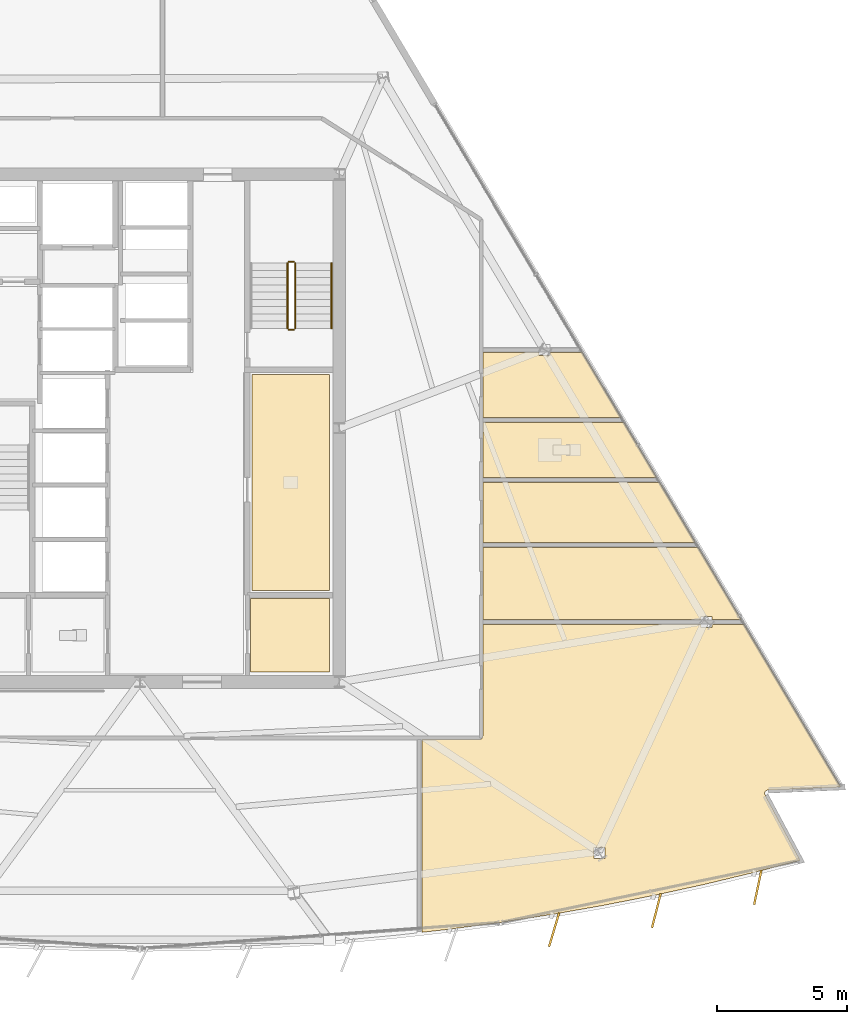
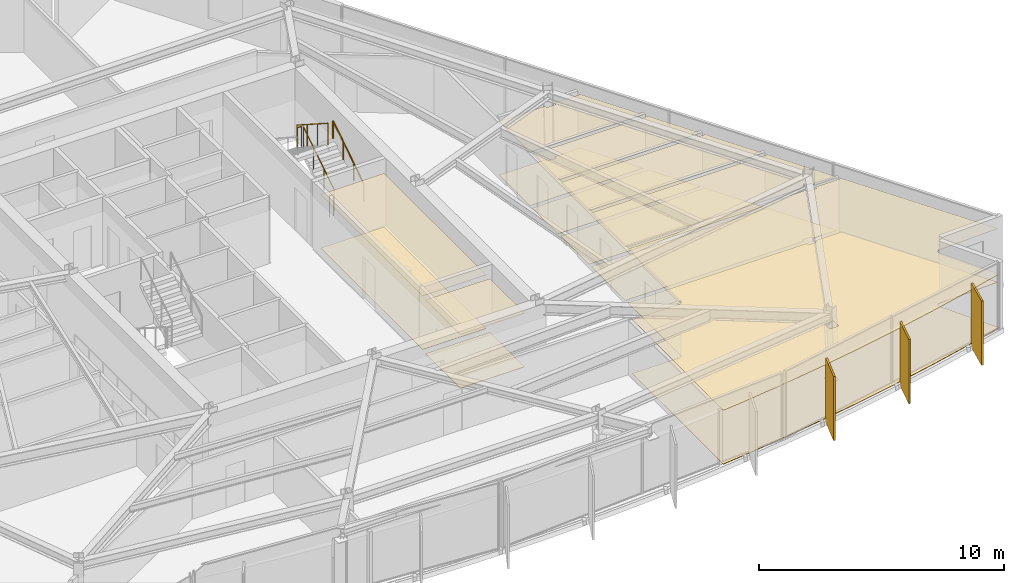
# One storey, part 14 of 16: 14 coverings, 5 railings, 3 shading devices.
"""IFC4 building model written with IfcOpenShell, lengths in metres."""

import ifcopenshell
import ifcopenshell.guid

model = None  # the IFC model being written
_history = None  # IfcOwnerHistory: only IFC2X3 demands one
_inside = {}  # id of a spatial element -> (the spatial element, [elements in it])
_under = {}  # id of a project, library or spatial element -> (it, [spatial elements below it])
_declared = {}  # id of a project -> (the project, [libraries it declares])
_typed = {}  # id of a type object -> (the type object, [elements of that type])
_made_of = {}  # id of a material, layer set ... -> (it, [elements and type objects made of it])


def new_model(schema):
    """Start an empty IFC model of exactly this schema.

    Asked for "IFC4X3", IfcOpenShell would pick the latest addendum, in which some entities
    have other attributes; the version numbers below select the first issue.
    IFC2X3 requires an IfcOwnerHistory on every rooted entity: one is made here for all.
    """
    global model, _history
    if schema == "IFC4X3":
        model = ifcopenshell.file(schema_version=(4, 3, 0, 0))
    else:
        model = ifcopenshell.file(schema=schema)
    _inside.clear()
    _under.clear()
    _declared.clear()
    _typed.clear()
    _made_of.clear()
    _history = None
    if model.schema == "IFC2X3":
        org = make("IfcOrganization", Name="unknown")
        user = make(
            "IfcPersonAndOrganization",
            ThePerson=make("IfcPerson", FamilyName="unknown"),
            TheOrganization=org,
        )
        app = make(
            "IfcApplication",
            ApplicationDeveloper=org,
            Version="unknown",
            ApplicationFullName="unknown",
            ApplicationIdentifier="unknown",
        )
        _history = make(
            "IfcOwnerHistory",
            OwningUser=user,
            OwningApplication=app,
            ChangeAction="ADDED",
            CreationDate=0,
        )
    return model


def make(cls, **values):
    """One entity of the class cls with the attributes given. An attribute that is None is left unset."""
    return model.create_entity(
        cls, **{name: value for name, value in values.items() if value is not None}
    )


def rooted(cls, **values):
    """An entity with a GlobalId (a new one), such as an element, a storey or a relation."""
    return make(cls, GlobalId=ifcopenshell.guid.new(), OwnerHistory=_history, **values)


def si_unit(unit_type, name, prefix=None):
    """IfcSIUnit, for example si_unit("LENGTHUNIT", "METRE", prefix="MILLI")."""
    return make("IfcSIUnit", UnitType=unit_type, Prefix=prefix, Name=name)


def assignment(units):
    """IfcUnitAssignment: the units of a project."""
    return None if units is None else make("IfcUnitAssignment", Units=units)


def point(xyz):
    """IfcCartesianPoint."""
    return None if xyz is None else make("IfcCartesianPoint", Coordinates=xyz)


def direction(xyz):
    """IfcDirection."""
    return None if xyz is None else make("IfcDirection", DirectionRatios=xyz)


def frame(location, z_axis=None, x_axis=None):
    """IfcAxis2Placement3D, a coordinate frame: its origin and axes. An axis left out is left unset."""
    return make(
        "IfcAxis2Placement3D",
        Location=point(location),
        Axis=direction(z_axis),
        RefDirection=direction(x_axis),
    )


def frame_2d(location, x_axis=None):
    """IfcAxis2Placement2D, a coordinate frame in the plane: its origin and x axis."""
    return make(
        "IfcAxis2Placement2D", Location=point(location), RefDirection=direction(x_axis)
    )


def origin():
    """The frame at (0, 0, 0) with its axes left unset."""
    return frame((0.0, 0.0, 0.0))


def origin_2d():
    """The frame at (0, 0) in the plane with its x axis left unset."""
    return frame_2d((0.0, 0.0))


def place(relative_to, where):
    """IfcLocalPlacement: puts the frame where relative to a parent placement (None: the world)."""
    return make(
        "IfcLocalPlacement", PlacementRelTo=relative_to, RelativePlacement=where
    )


def context(
    kind, dimensions, precision=None, world=None, true_north=None, identifier=None
):
    """IfcGeometricRepresentationContext, for example the 3D "Model" context."""
    return make(
        "IfcGeometricRepresentationContext",
        ContextIdentifier=identifier,
        ContextType=kind,
        CoordinateSpaceDimension=dimensions,
        Precision=precision,
        WorldCoordinateSystem=world,
        TrueNorth=true_north,
    )


def subcontext(parent, identifier, kind, view, scale=None):
    """IfcGeometricRepresentationSubContext, for example "Body" below "Model"."""
    return make(
        "IfcGeometricRepresentationSubContext",
        ContextIdentifier=identifier,
        ContextType=kind,
        ParentContext=parent,
        TargetScale=scale,
        TargetView=view,
    )


def project(units=None, contexts=None):
    """IfcProject with its units and contexts."""
    return rooted(
        "IfcProject",
        Name="project",
        RepresentationContexts=contexts,
        UnitsInContext=assignment(units),
    )


def spatial(cls, under=None, at=None, **own):
    """A site, building, storey or space (cls), placed at a placement, below another one or the project."""
    s = rooted(cls, ObjectPlacement=at, **own)
    if under is not None:
        _under.setdefault(under.id(), (under, []))[1].append(s)
    return s


def polyline(points):
    """IfcPolyline through the points."""
    return make("IfcPolyline", Points=[point(p) for p in points])


def profile(cls, at=None, kind="AREA", **sizes):
    """A parametric profile (cls). Its sizes go by their IFC names, for example OverallWidth=200.0."""
    return make(cls, ProfileType=kind, Position=at, **sizes)


def rectangle(**sizes):
    """IfcRectangleProfileDef."""
    return profile("IfcRectangleProfileDef", **sizes)


def circle(**sizes):
    """IfcCircleProfileDef."""
    return profile("IfcCircleProfileDef", **sizes)


def outline(outer, holes=None, kind="AREA"):
    """IfcArbitraryClosedProfileDef: a profile drawn as a closed curve; with holes, ...WithVoids."""
    if holes is None:
        return make("IfcArbitraryClosedProfileDef", ProfileType=kind, OuterCurve=outer)
    return make(
        "IfcArbitraryProfileDefWithVoids",
        ProfileType=kind,
        OuterCurve=outer,
        InnerCurves=holes,
    )


def extrude(swept, where, along, depth):
    """IfcExtrudedAreaSolid: the profile swept, set in the frame where, extruded along a direction by depth."""
    return make(
        "IfcExtrudedAreaSolid",
        SweptArea=swept,
        Position=where,
        ExtrudedDirection=direction(along),
        Depth=depth,
    )


def shape(context_of_items, identifier, shape_type, items):
    """IfcShapeRepresentation: the items that make up one representation, for example the "Body"."""
    return make(
        "IfcShapeRepresentation",
        ContextOfItems=context_of_items,
        RepresentationIdentifier=identifier,
        RepresentationType=shape_type,
        Items=items,
    )


def material(Name=None, Category=None):
    """IfcMaterial."""
    return make("IfcMaterial", Name=Name, Category=Category)


def layer(
    of_material, thickness, ventilated=None, Name=None, Category=None, Priority=None
):
    """IfcMaterialLayer: one layer of a wall or slab, of a material (None: an air gap)."""
    return make(
        "IfcMaterialLayer",
        Material=of_material,
        LayerThickness=thickness,
        IsVentilated=ventilated,
        Name=Name,
        Category=Category,
        Priority=Priority,
    )


def layer_set(layers, Name=None):
    """IfcMaterialLayerSet."""
    return make("IfcMaterialLayerSet", MaterialLayers=layers, LayerSetName=Name)


def made_of(thing, what):
    """Note that an element or type object is made of a material, layer set ...; save() writes the relation."""
    if what is not None:
        _made_of.setdefault(what.id(), (what, []))[1].append(thing)
    return thing


def type_object(cls, material=None, **own):
    """A type object (cls), such as IfcWallType, which elements share."""
    return made_of(rooted(cls, **own), material)


def element(
    cls,
    number,
    at=None,
    inside=None,
    cuts=None,
    type_object=None,
    material=None,
    context=None,
    identifier="Body",
    shape_type=None,
    held_by="IfcProductDefinitionShape",
    body=None,
    shapes=None,
    **own,
):
    """One element of the class cls, such as IfcWall. Its Tag is "e" and its number.

    at: its placement. inside: the storey or other place that contains it. cuts: it is an
    opening in that element (IfcRelVoidsElement). A single representation is given by context,
    identifier, shape_type and body (its items); several are given by shapes. held_by: the class
    of the entity that holds the representations. save() writes the other relations.
    """
    e = rooted(cls, Tag="e%d" % number, ObjectPlacement=at, **own)
    if body is not None:
        shapes = [shape(context, identifier, shape_type, body)]
    if shapes is not None:
        e.Representation = make(held_by, Representations=shapes)
    if inside is not None:
        _inside.setdefault(inside.id(), (inside, []))[1].append(e)
    if cuts is not None:
        rooted(
            "IfcRelVoidsElement", RelatingBuildingElement=cuts, RelatedOpeningElement=e
        )
    if type_object is not None:
        _typed.setdefault(type_object.id(), (type_object, []))[1].append(e)
    return made_of(e, material)


def aggregate(whole, parts):
    """IfcRelAggregates: a whole, such as a stair, and the parts it consists of."""
    return rooted("IfcRelAggregates", RelatingObject=whole, RelatedObjects=parts)


def save(model, path):
    """Write the relations noted so far, then the file.

    IfcRelAggregates (storeys below a building ...), IfcRelContainedInSpatialStructure (elements
    in a storey), IfcRelDefinesByType, IfcRelAssociatesMaterial and IfcRelDeclares: one each for
    every whole, place, type object, material and project.
    """
    for whole, parts in _under.values():
        aggregate(whole, parts)
    for where, things in _inside.values():
        rooted(
            "IfcRelContainedInSpatialStructure",
            RelatedElements=things,
            RelatingStructure=where,
        )
    for kind, things in _typed.values():
        rooted("IfcRelDefinesByType", RelatedObjects=things, RelatingType=kind)
    for what, things in _made_of.values():
        rooted("IfcRelAssociatesMaterial", RelatedObjects=things, RelatingMaterial=what)
    for by, libraries in _declared.values():
        rooted("IfcRelDeclares", RelatingContext=by, RelatedDefinitions=libraries)
    model.write(path)


model = new_model("IFC4")

# Units and contexts
model_context = context("Model", 3, precision=1e-05, world=origin(), true_north=direction((0.0, 1.0)))
body_context = subcontext(model_context, "Body", "Model", "MODEL_VIEW")
ifc_project = project(units=[si_unit("LENGTHUNIT", "METRE"), si_unit("AREAUNIT", "SQUARE_METRE"), si_unit("VOLUMEUNIT", "CUBIC_METRE"), si_unit("PLANEANGLEUNIT", "RADIAN"), si_unit("MASSUNIT", "GRAM", prefix="KILO")], contexts=[model_context])

# Site, building, storey
site_placement = place(None, origin())
site = spatial("IfcSite", under=ifc_project, at=site_placement, CompositionType="ELEMENT")
building_placement = place(site_placement, origin())
building = spatial("IfcBuilding", under=site, at=building_placement, Name="Savorim Split Tower", CompositionType="ELEMENT")
storey_placement = place(building_placement, frame((0.0, 0.0, 156.60009765625)))
storey = spatial("IfcBuildingStorey", under=building, at=storey_placement, Name="L41", CompositionType="ELEMENT", Elevation=156.60009765625)

# Coverings
ifc_material_1 = material(Name="Mineral Fibre Acoustic Ceiling")
ifc_layer_1 = layer(ifc_material_1, 0.02490234375)
ifc_layer_set_1 = layer_set([ifc_layer_1], Name="COV-CEIL-25")
covering_type_1 = type_object("IfcCoveringType", Name="COV-CEIL-25", PredefinedType="CEILING", material=ifc_layer_set_1)
covering_1_placement = place(storey_placement, frame((0.0, 0.0, 2.669921875)))
element("IfcCovering", 1, at=covering_1_placement, inside=storey, type_object=covering_type_1, Name="L41 Community Laundry Room Acoustic Ceiling", PredefinedType="CEILING", context=body_context, shape_type="SweptSolid", body=[
    extrude(outline(polyline([(4.330078125, 2.469970703125), (4.330078125, -5.8701171875), (7.320068359375, -5.8701171875), (7.320068359375, 2.469970703125), (4.330078125, 2.469970703125)])), origin(), (0.0, 0.0, 1.0), 0.02490234375),
])
covering_2_placement = place(storey_placement, frame((0.0, 0.0, 2.669921875)))
element("IfcCovering", 2, at=covering_2_placement, inside=storey, type_object=covering_type_1, Name="L41 Core IT Server Room Acoustic Ceiling", PredefinedType="CEILING", context=body_context, shape_type="SweptSolid", body=[
    extrude(outline(polyline([(4.280029296875, -6.179931640625), (4.280029296875, -9.02001953125), (7.320068359375, -9.02001953125), (7.320068359375, -6.179931640625), (4.280029296875, -6.179931640625)])), origin(), (0.0, 0.0, 1.0), 0.02490234375),
])
covering_3_placement = place(storey_placement, frame((0.0, 0.0, 2.669921875)))
element("IfcCovering", 3, at=covering_3_placement, inside=storey, type_object=covering_type_1, Name="L41 Co-Working Commons Acoustic Ceiling", PredefinedType="CEILING", context=body_context, shape_type="SweptSolid", body=[
    extrude(outline(polyline([(24.2138671875, -13.5810546875), (24.22509765625, -13.5791015625), (24.236572265625, -13.577880859375), (27.058837890625, -13.457763671875), (23.30419921875, -7.1435546875), (23.30419921875, -7.176513671875), (22.08837890625, -7.176513671875), (22.08837890625, -7.295166015625), (21.664306640625, -7.295166015625), (21.664306640625, -7.176513671875), (13.239990234375, -7.176513671875), (13.239990234375, -11.47998046875), (13.2392578125, -11.49365234375), (13.2373046875, -11.50732421875), (13.23388671875, -11.5205078125), (13.229248046875, -11.53369140625), (13.223388671875, -11.5458984375), (13.21630859375, -11.557861328125), (13.208251953125, -11.56884765625), (13.198974609375, -11.5791015625), (13.188720703125, -11.588134765625), (13.177734375, -11.596435546875), (13.166015625, -11.603515625), (13.153564453125, -11.609375), (13.140625, -11.614013671875), (13.127197265625, -11.6171875), (13.11376953125, -11.619384765625), (13.10009765625, -11.6201171875), (10.884521484375, -11.6201171875), (10.884521484375, -19.067138671875), (11.945556640625, -18.947265625), (13.923828125, -18.6826171875), (15.89599609375, -18.37744140625), (17.86181640625, -18.031982421875), (19.8203125, -17.646484375), (21.770263671875, -17.220947265625), (23.711181640625, -16.755615234375), (25.495849609375, -16.288818359375), (24.135986328125, -13.75439453125), (24.131103515625, -13.744140625), (24.127197265625, -13.7333984375), (24.124267578125, -13.72216796875), (24.122314453125, -13.710693359375), (24.12158203125, -13.69921875), (24.1220703125, -13.6875), (24.123779296875, -13.67626953125), (24.126220703125, -13.664794921875), (24.1298828125, -13.654052734375), (24.134765625, -13.6435546875), (24.140380859375, -13.63330078125), (24.147216796875, -13.6240234375), (24.154541015625, -13.615234375), (24.162841796875, -13.607421875), (24.172119140625, -13.60009765625), (24.181640625, -13.593994140625), (24.19189453125, -13.588623046875), (24.20263671875, -13.584228515625), (24.2138671875, -13.5810546875)]), holes=[polyline([(17.959716796875, -16.220458984375), (17.959716796875, -15.79345703125), (17.53564453125, -15.79345703125), (17.53564453125, -16.220458984375), (17.959716796875, -16.220458984375)])]), origin(), (0.0, 0.0, 1.0), 0.02490234375),
])
covering_4_placement = place(storey_placement, frame((0.0, 0.0, 2.669921875)))
element("IfcCovering", 4, at=covering_4_placement, inside=storey, type_object=covering_type_1, Name="L41 Co-Working Commons Acoustic Ceiling", PredefinedType="CEILING", context=body_context, shape_type="SweptSolid", body=[
    extrude(outline(polyline([(22.08837890625, -6.8681640625), (22.08837890625, -6.986572265625), (23.209228515625, -6.986572265625), (23.2109375, -6.986572265625), (21.553955078125, -4.19970703125), (13.239990234375, -4.19970703125), (13.239990234375, -6.986572265625), (21.664306640625, -6.986572265625), (21.664306640625, -6.8681640625), (22.08837890625, -6.8681640625)])), origin(), (0.0, 0.0, 1.0), 0.02490234375),
])
covering_5_placement = place(storey_placement, frame((0.0, 0.0, 2.669921875)))
element("IfcCovering", 5, at=covering_5_placement, inside=storey, type_object=covering_type_1, Name="L41 Co-Working Commons Acoustic Ceiling", PredefinedType="CEILING", context=body_context, shape_type="SweptSolid", body=[
    extrude(outline(polyline([(21.44091796875, -4.009765625), (20.06201171875, -1.69091796875), (13.239990234375, -1.69091796875), (13.239990234375, -4.009765625), (21.44091796875, -4.009765625)])), origin(), (0.0, 0.0, 1.0), 0.02490234375),
])
covering_6_placement = place(storey_placement, frame((0.0, 0.0, 2.669921875)))
element("IfcCovering", 6, at=covering_6_placement, inside=storey, type_object=covering_type_1, Name="L41 Shared Bathroom Acoustic Ceiling", PredefinedType="CEILING", context=body_context, shape_type="SweptSolid", body=[
    extrude(outline(polyline([(19.948974609375, -1.500732421875), (18.693115234375, 0.611083984375), (13.239990234375, 0.611083984375), (13.239990234375, -1.5009765625), (19.948974609375, -1.500732421875)])), origin(), (0.0, 0.0, 1.0), 0.02490234375),
])
covering_7_placement = place(storey_placement, frame((0.0, 0.0, 2.669921875)))
element("IfcCovering", 7, at=covering_7_placement, inside=storey, type_object=covering_type_1, Name="L41 Quiet Study Room Acoustic Ceiling", PredefinedType="CEILING", context=body_context, shape_type="SweptSolid", body=[
    extrude(outline(polyline([(15.418701171875, 3.20849609375), (15.418701171875, 3.326904296875), (13.239990234375, 3.326904296875), (13.239990234375, 0.801025390625), (18.580078125, 0.801025390625), (17.05859375, 3.35986328125), (17.05859375, 3.326904296875), (15.8427734375, 3.326904296875), (15.8427734375, 3.20849609375), (15.418701171875, 3.20849609375)])), origin(), (0.0, 0.0, 1.0), 0.02490234375),
])
ifc_material_2 = material(Name="Porcelain Stoneware Flooring", Category="masonry")
ifc_layer_2 = layer(ifc_material_2, 0.02001953125)
ifc_layer_set_2 = layer_set([ifc_layer_2], Name="COV-FLOR-20")
covering_type_2 = type_object("IfcCoveringType", Name="COV-FLOR-20", PredefinedType="FLOORING", material=ifc_layer_set_2)
covering_8_placement = place(storey_placement, origin())
element("IfcCovering", 8, at=covering_8_placement, inside=storey, type_object=covering_type_2, Name="L41 Community Laundry Room Porcelain Flooring", PredefinedType="FLOORING", context=body_context, shape_type="SweptSolid", body=[
    extrude(outline(polyline([(4.330078125, 2.469970703125), (4.330078125, -5.8701171875), (7.320068359375, -5.8701171875), (7.320068359375, 2.469970703125), (4.330078125, 2.469970703125)])), origin(), (0.0, 0.0, 1.0), 0.02001953125),
])
covering_9_placement = place(storey_placement, origin())
element("IfcCovering", 9, at=covering_9_placement, inside=storey, type_object=covering_type_2, Name="L41 Core IT Server Room Porcelain Flooring", PredefinedType="FLOORING", context=body_context, shape_type="SweptSolid", body=[
    extrude(outline(polyline([(4.280029296875, -6.179931640625), (4.280029296875, -9.02001953125), (7.320068359375, -9.02001953125), (7.320068359375, -6.179931640625), (4.280029296875, -6.179931640625)])), origin(), (0.0, 0.0, 1.0), 0.02001953125),
])
covering_10_placement = place(storey_placement, origin())
element("IfcCovering", 10, at=covering_10_placement, inside=storey, type_object=covering_type_2, Name="L41 Co-Working Commons Porcelain Flooring", PredefinedType="FLOORING", context=body_context, shape_type="SweptSolid", body=[
    extrude(outline(polyline([(24.2138671875, -13.5810546875), (24.22509765625, -13.5791015625), (24.236572265625, -13.577880859375), (27.058837890625, -13.457763671875), (23.30419921875, -7.1435546875), (23.30419921875, -7.176513671875), (22.08837890625, -7.176513671875), (22.08837890625, -7.295166015625), (21.664306640625, -7.295166015625), (21.664306640625, -7.176513671875), (13.239990234375, -7.176513671875), (13.239990234375, -11.47998046875), (13.2392578125, -11.49365234375), (13.2373046875, -11.50732421875), (13.23388671875, -11.5205078125), (13.229248046875, -11.53369140625), (13.223388671875, -11.5458984375), (13.21630859375, -11.557861328125), (13.208251953125, -11.56884765625), (13.198974609375, -11.5791015625), (13.188720703125, -11.588134765625), (13.177734375, -11.596435546875), (13.166015625, -11.603515625), (13.153564453125, -11.609375), (13.140625, -11.614013671875), (13.127197265625, -11.6171875), (13.11376953125, -11.619384765625), (13.10009765625, -11.6201171875), (10.884521484375, -11.6201171875), (10.884521484375, -19.067138671875), (11.945556640625, -18.947265625), (13.923828125, -18.6826171875), (15.89599609375, -18.37744140625), (17.86181640625, -18.031982421875), (19.8203125, -17.646484375), (21.770263671875, -17.220947265625), (23.711181640625, -16.755615234375), (25.495849609375, -16.288818359375), (24.135986328125, -13.75439453125), (24.131103515625, -13.744140625), (24.127197265625, -13.7333984375), (24.124267578125, -13.72216796875), (24.122314453125, -13.710693359375), (24.12158203125, -13.69921875), (24.1220703125, -13.6875), (24.123779296875, -13.67626953125), (24.126220703125, -13.664794921875), (24.1298828125, -13.654052734375), (24.134765625, -13.6435546875), (24.140380859375, -13.63330078125), (24.147216796875, -13.6240234375), (24.154541015625, -13.615234375), (24.162841796875, -13.607421875), (24.172119140625, -13.60009765625), (24.181640625, -13.593994140625), (24.19189453125, -13.588623046875), (24.20263671875, -13.584228515625), (24.2138671875, -13.5810546875)]), holes=[polyline([(17.959716796875, -16.220458984375), (17.959716796875, -15.79345703125), (17.53564453125, -15.79345703125), (17.53564453125, -16.220458984375), (17.959716796875, -16.220458984375)])]), origin(), (0.0, 0.0, 1.0), 0.02001953125),
])
covering_11_placement = place(storey_placement, origin())
element("IfcCovering", 11, at=covering_11_placement, inside=storey, type_object=covering_type_2, Name="L41 Co-Working Commons Porcelain Flooring", PredefinedType="FLOORING", context=body_context, shape_type="SweptSolid", body=[
    extrude(outline(polyline([(22.08837890625, -6.8681640625), (22.08837890625, -6.986572265625), (23.209228515625, -6.986572265625), (23.2109375, -6.986572265625), (21.553955078125, -4.19970703125), (13.239990234375, -4.19970703125), (13.239990234375, -6.986572265625), (21.664306640625, -6.986572265625), (21.664306640625, -6.8681640625), (22.08837890625, -6.8681640625)])), origin(), (0.0, 0.0, 1.0), 0.02001953125),
])
covering_12_placement = place(storey_placement, origin())
element("IfcCovering", 12, at=covering_12_placement, inside=storey, type_object=covering_type_2, Name="L41 Co-Working Commons Porcelain Flooring", PredefinedType="FLOORING", context=body_context, shape_type="SweptSolid", body=[
    extrude(outline(polyline([(21.44091796875, -4.009765625), (20.06201171875, -1.69091796875), (13.239990234375, -1.69091796875), (13.239990234375, -4.009765625), (21.44091796875, -4.009765625)])), origin(), (0.0, 0.0, 1.0), 0.02001953125),
])
covering_13_placement = place(storey_placement, origin())
element("IfcCovering", 13, at=covering_13_placement, inside=storey, type_object=covering_type_2, Name="L41 Shared Bathroom Porcelain Flooring", PredefinedType="FLOORING", context=body_context, shape_type="SweptSolid", body=[
    extrude(outline(polyline([(19.948974609375, -1.500732421875), (18.693115234375, 0.611083984375), (13.239990234375, 0.611083984375), (13.239990234375, -1.5009765625), (19.948974609375, -1.500732421875)])), origin(), (0.0, 0.0, 1.0), 0.02001953125),
])
covering_14_placement = place(storey_placement, origin())
element("IfcCovering", 14, at=covering_14_placement, inside=storey, type_object=covering_type_2, Name="L41 Quiet Study Room Porcelain Flooring", PredefinedType="FLOORING", context=body_context, shape_type="SweptSolid", body=[
    extrude(outline(polyline([(15.418701171875, 3.20849609375), (15.418701171875, 3.326904296875), (13.239990234375, 3.326904296875), (13.239990234375, 0.801025390625), (18.580078125, 0.801025390625), (17.05859375, 3.35986328125), (17.05859375, 3.326904296875), (15.8427734375, 3.326904296875), (15.8427734375, 3.20849609375), (15.418701171875, 3.20849609375)])), origin(), (0.0, 0.0, 1.0), 0.02001953125),
])

# Railings
ifc_material_3 = material(Name="Galvanised Painted Steel Balustrade", Category="steel")
railing_type_1 = type_object("IfcRailingType", Name="RLG-HR-900", PredefinedType="HANDRAIL", material=ifc_material_3)
railing_1_placement = place(storey_placement, frame((7.39990234375, 4.25, 0.179931640625)))
element("IfcRailing", 15, at=railing_1_placement, inside=storey, type_object=railing_type_1, Name="L41 ST-2 stair handrail 1", PredefinedType="HANDRAIL", context=body_context, shape_type="SweptSolid", body=[
    extrude(circle(Radius=0.02392578125, at=origin_2d()), frame((0.0, 0.0, 0.8759765625), z_axis=(0.0, 0.841199657755, 0.540724639528), x_axis=(-1.0, 0.0, 0.0)), (0.0, 0.0, 1.0), 2.995849609375),
    extrude(circle(Radius=0.02099609375, at=origin_2d()), origin(), (0.0, 0.0, 1.0), 0.851806640625),
    extrude(circle(Radius=0.02099609375, at=origin_2d()), frame((0.0, 0.840087890625, 0.5400390625)), (0.0, 0.0, 1.0), 0.851806640625),
    extrude(circle(Radius=0.02099609375, at=origin_2d()), frame((0.0, 1.679931640625, 1.079833984375)), (0.0, 0.0, 1.0), 0.851806640625),
    extrude(circle(Radius=0.02099609375, at=origin_2d()), frame((0.0, 2.52001953125, 1.619873046875)), (0.0, 0.0, 1.0), 0.851806640625),
])
railing_type_2 = type_object("IfcRailingType", Name="RLG-STG-1100", PredefinedType="BALUSTRADE", material=ifc_material_3)
railing_2_placement = place(storey_placement, frame((6.0, 4.25, 0.179931640625)))
element("IfcRailing", 16, at=railing_2_placement, inside=storey, type_object=railing_type_2, Name="L41 ST-2 stair guard 1", PredefinedType="BALUSTRADE", context=body_context, shape_type="SweptSolid", body=[
    extrude(circle(Radius=0.02392578125, at=origin_2d()), frame((0.0, 0.0, 1.076171875), z_axis=(0.0, 0.841199657755, 0.540724639528), x_axis=(-1.0, 0.0, 0.0)), (0.0, 0.0, 1.0), 2.995849609375),
    extrude(circle(Radius=0.02099609375, at=origin_2d()), origin(), (0.0, 0.0, 1.0), 1.052001953125),
    extrude(circle(Radius=0.02099609375, at=origin_2d()), frame((0.0, 0.840087890625, 0.5400390625)), (0.0, 0.0, 1.0), 1.052001953125),
    extrude(circle(Radius=0.02099609375, at=origin_2d()), frame((0.0, 1.679931640625, 1.079833984375)), (0.0, 0.0, 1.0), 1.052001953125),
    extrude(circle(Radius=0.02099609375, at=origin_2d()), frame((0.0, 2.52001953125, 1.619873046875)), (0.0, 0.0, 1.0), 1.052001953125),
])
railing_3_placement = place(storey_placement, frame((5.949951171875, 6.820068359375, 1.7998046875)))
element("IfcRailing", 17, at=railing_3_placement, inside=storey, type_object=railing_type_2, Name="L41 ST-2 stair guard 2", PredefinedType="BALUSTRADE", context=body_context, shape_type="SweptSolid", body=[
    extrude(circle(Radius=0.02392578125, at=origin_2d()), frame((0.0, 0.0, 1.076171875), z_axis=(-1.0, 0.0, 0.0), x_axis=(0.0, -1.0, 0.0)), (0.0, 0.0, 1.0), 0.199951171875),
    extrude(circle(Radius=0.02099609375, at=origin_2d()), origin(), (0.0, 0.0, 1.0), 1.052001953125),
    extrude(circle(Radius=0.02099609375, at=origin_2d()), frame((-0.199951171875, 0.0, 0.0)), (0.0, 0.0, 1.0), 1.052001953125),
])
railing_4_placement = place(storey_placement, frame((5.699951171875, 6.77001953125, 1.97998046875)))
element("IfcRailing", 18, at=railing_4_placement, inside=storey, type_object=railing_type_2, Name="L41 ST-2 stair guard 3", PredefinedType="BALUSTRADE", context=body_context, shape_type="SweptSolid", body=[
    extrude(circle(Radius=0.02392578125, at=origin_2d()), frame((0.0, 0.0, 1.076171875), z_axis=(0.0, -0.841199657755, 0.540724639528), x_axis=(1.0, 0.0, 0.0)), (0.0, 0.0, 1.0), 2.995849609375),
    extrude(circle(Radius=0.02099609375, at=origin_2d()), origin(), (0.0, 0.0, 1.0), 1.052001953125),
    extrude(circle(Radius=0.02099609375, at=origin_2d()), frame((0.0, -0.840087890625, 0.5400390625)), (0.0, 0.0, 1.0), 1.052001953125),
    extrude(circle(Radius=0.02099609375, at=origin_2d()), frame((0.0, -1.679931640625, 1.079833984375)), (0.0, 0.0, 1.0), 1.052001953125),
    extrude(circle(Radius=0.02099609375, at=origin_2d()), frame((0.0, -2.52001953125, 1.619873046875)), (0.0, 0.0, 1.0), 1.052001953125),
])
railing_5_placement = place(storey_placement, frame((5.949951171875, 4.199951171875, 0.0)))
element("IfcRailing", 19, at=railing_5_placement, inside=storey, type_object=railing_type_2, Name="L41 ST-2 stair guard 4", PredefinedType="BALUSTRADE", context=body_context, shape_type="SweptSolid", body=[
    extrude(circle(Radius=0.02392578125, at=origin_2d()), frame((0.0, 0.0, 1.076171875), z_axis=(-1.0, 0.0, 0.0), x_axis=(0.0, -1.0, 0.0)), (0.0, 0.0, 1.0), 0.199951171875),
    extrude(circle(Radius=0.02099609375, at=origin_2d()), origin(), (0.0, 0.0, 1.0), 1.052001953125),
    extrude(circle(Radius=0.02099609375, at=origin_2d()), frame((-0.199951171875, 0.0, 0.0)), (0.0, 0.0, 1.0), 1.052001953125),
])

# Shading devices
ifc_material_4 = material(Name="Terracotta Ceramic-Coated Aluminium Fin", Category="masonry")
shading_device_type = type_object("IfcShadingDeviceType", Name="SHD-FIN-1360", PredefinedType="USERDEFINED", material=ifc_material_4)
for number, where, z_axis, x_axis, name in (
    (20, (15.993408203125, -18.965576171875, -0.2001953125), (0.0, 0.0, 1.0), (-0.286026212504, -0.958221793616, 0.0), "L41 Sawtooth Shading Fin 11"),
    (21, (19.94140625, -18.22998046875, -0.2001953125), (0.0, 0.0, 1.0), (-0.246581250663, -0.969122121727, 0.0), "L41 Sawtooth Shading Fin 12"),
    (22, (23.85595703125, -17.333740234375, -0.2001953125), (0.0, 0.0, 1.0), (-0.206721626106, -0.978399800337, 0.0), "L41 Sawtooth Shading Fin 13"),
):
    element("IfcShadingDevice", number, at=place(storey_placement, frame(where, z_axis=z_axis, x_axis=x_axis)), inside=storey, type_object=shading_device_type, Name=name, ObjectType="FIN", PredefinedType="USERDEFINED", context=body_context, shape_type="SweptSolid", body=[
        extrude(rectangle(XDim=1.360107421875, YDim=0.080078125, at=origin_2d()), origin(), (0.0, 0.0, 1.0), 3.199951171875),
    ])

save(model, "model.ifc")
